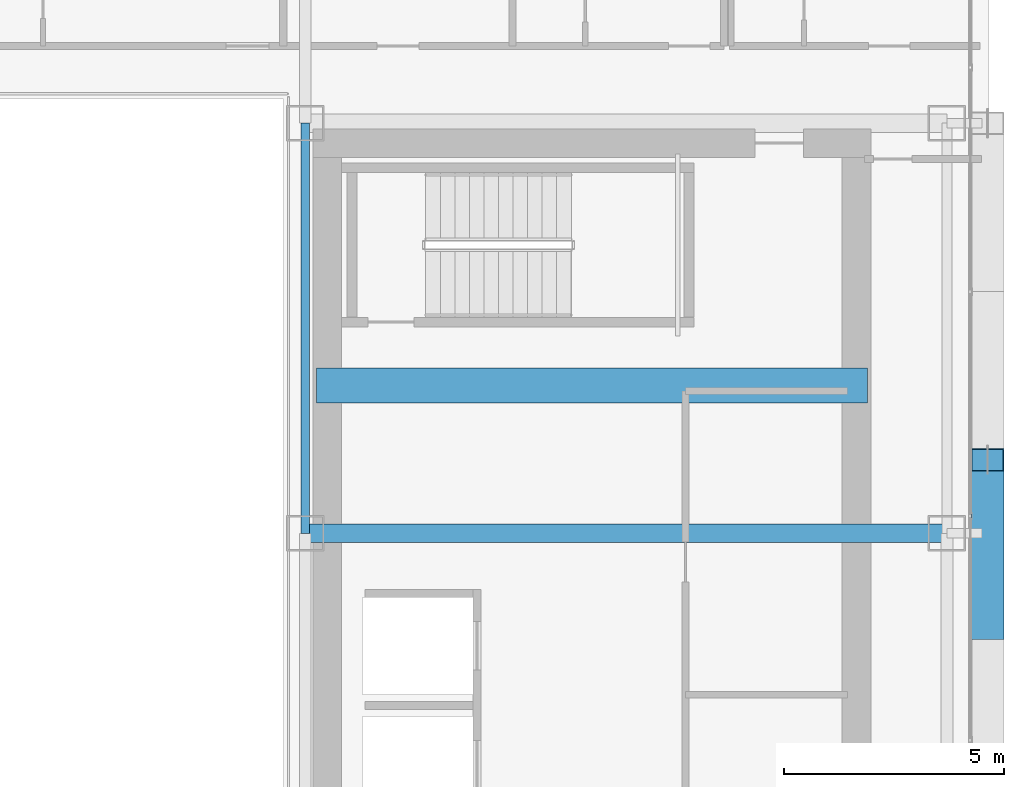
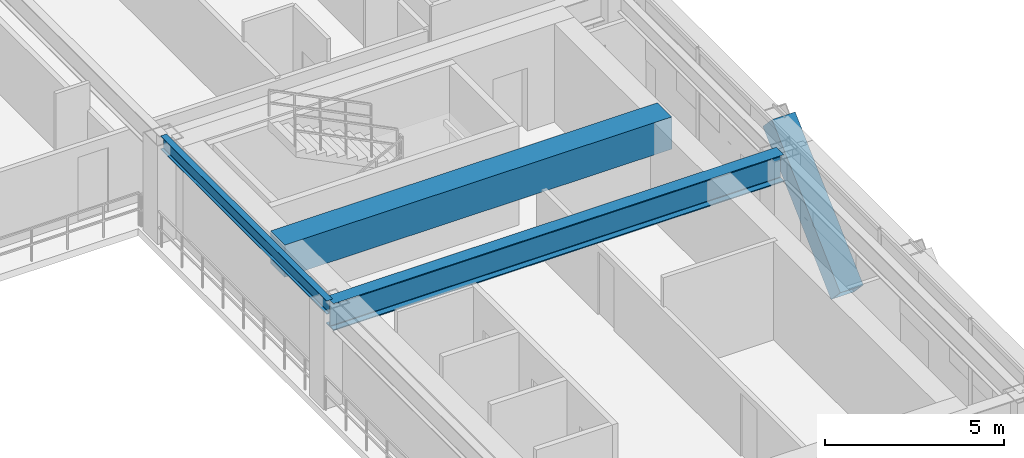
# One storey, part 14 of 35: 3 beams, 1 member.
"""IFC4 building model written with IfcOpenShell, lengths in metres."""

from ifc_helpers import new_model, si_unit, direction, frame, origin, origin_2d, place, context, subcontext, project, spatial, rectangle, hollow_rectangle, i_section, extrude, source, transform, mapped, material, material_profile, profile_set, type_object, element, save


model = new_model("IFC4")

# Units and contexts
model_context = context("Model", 3, precision=1e-05, world=origin(), true_north=direction((0.0, 1.0)))
body_context = subcontext(model_context, "Body", "Model", "MODEL_VIEW")
ifc_project = project(units=[si_unit("LENGTHUNIT", "METRE"), si_unit("AREAUNIT", "SQUARE_METRE"), si_unit("VOLUMEUNIT", "CUBIC_METRE"), si_unit("PLANEANGLEUNIT", "RADIAN"), si_unit("MASSUNIT", "GRAM", prefix="KILO")], contexts=[model_context])

# Site, building, storey
site_placement = place(None, origin())
site = spatial("IfcSite", under=ifc_project, at=site_placement, CompositionType="ELEMENT")
building_placement = place(site_placement, origin())
building = spatial("IfcBuilding", under=site, at=building_placement, Name="Ocotamira Hotel", CompositionType="ELEMENT")
storey_placement = place(building_placement, frame((0.0, 0.0, 144.0)))
storey = spatial("IfcBuildingStorey", under=building, at=storey_placement, Name="L36", CompositionType="ELEMENT", Elevation=144.0)

# Beams
ifc_material_1 = material(Name="Concrete C60/75", Category="concrete")
ifc_material_profile_1 = material_profile(ifc_material_1, rectangle(XDim=0.800048828125, YDim=1.10009765625, at=origin_2d()), Name="RC800X1100")
ifc_profile_set_1 = profile_set([ifc_material_profile_1], Name="Concrete C60/75")
beam_type_1 = type_object("IfcBeamType", Name="BM-LINK-RC800", PredefinedType="LINTEL", material=ifc_profile_set_1)
shared_shape_1 = source(origin(), body_context, "Body", "SweptSolid", [
    extrude(rectangle(XDim=0.800048828125, YDim=1.10009765625, at=origin_2d()), origin(), (0.0, 0.0, 1.0), 12.5),
])
beam_1_placement = place(storey_placement, frame((40.75, 31.5, 2.81005859375), z_axis=(1.0, 0.0, 0.0), x_axis=(0.0, 1.0, 0.0)))
element("IfcBeam", 1, at=beam_1_placement, inside=storey, type_object=beam_type_1, Name="L36 East Core Coupling Beam", PredefinedType="LINTEL", context=body_context, shape_type="MappedRepresentation", body=[
    mapped(shared_shape_1, transform((0.0, 0.0, 0.0), scale=1.0)),
])
ifc_material_2 = material(Name="Steel ASTM A992 Grade 50", Category="steel")
ifc_material_profile_2 = material_profile(ifc_material_2, i_section(OverallWidth=0.41796875, OverallDepth=0.927001953125, WebThickness=0.019287109375, FlangeThickness=0.031982421875, FilletRadius=0.02392578125, at=origin_2d()), Name="W36X231")
ifc_profile_set_2 = profile_set([ifc_material_profile_2], Name="Steel ASTM A992 Grade 50")
beam_type_2 = type_object("IfcBeamType", Name="BM-GIRD-W36X231", PredefinedType="BEAM", material=ifc_profile_set_2)
shared_shape_2 = source(origin(), body_context, "Body", "SweptSolid", [
    extrude(i_section(OverallWidth=0.41796875, OverallDepth=0.927001953125, WebThickness=0.019287109375, FlangeThickness=0.031982421875, FilletRadius=0.02392578125, at=origin_2d()), origin(), (0.0, 0.0, 1.0), 14.550048828125),
])
beam_2_placement = place(storey_placement, frame((40.5, 28.14990234375, 2.896484375), z_axis=(1.0, 0.0, 0.0), x_axis=(0.0, 1.0, 0.0)))
element("IfcBeam", 2, at=beam_2_placement, inside=storey, type_object=beam_type_2, Name="L36 Girder Y28.15 X40.5-55.05", PredefinedType="BEAM", context=body_context, shape_type="MappedRepresentation", body=[
    mapped(shared_shape_2, transform((0.0, 0.0, 0.0), scale=1.0)),
])
ifc_material_profile_3 = material_profile(ifc_material_2, i_section(OverallWidth=0.18994140625, OverallDepth=0.45703125, WebThickness=0.009033203125, FlangeThickness=0.014404296875, FilletRadius=0.010009765625, at=origin_2d()), Name="W18X50")
ifc_profile_set_3 = profile_set([ifc_material_profile_3], Name="Steel ASTM A992 Grade 50")
beam_type_3 = type_object("IfcBeamType", Name="BM-SEC-W18X50", PredefinedType="JOIST", material=ifc_profile_set_3)
shared_shape_3 = source(origin(), body_context, "Body", "SweptSolid", [
    extrude(i_section(OverallWidth=0.18994140625, OverallDepth=0.45703125, WebThickness=0.009033203125, FlangeThickness=0.014404296875, FilletRadius=0.010009765625, at=origin_2d()), origin(), (0.0, 0.0, 1.0), 9.300048828125),
])
beam_3_placement = place(storey_placement, frame((40.5, 28.14990234375, 3.131591796875), z_axis=(0.0, 1.0, 0.0), x_axis=(-1.0, 0.0, 0.0)))
element("IfcBeam", 3, at=beam_3_placement, inside=storey, type_object=beam_type_3, Name="L36 Beam X40.5 Y28.15-37.45", PredefinedType="JOIST", context=body_context, shape_type="MappedRepresentation", body=[
    mapped(shared_shape_3, transform((0.0, 0.0, 0.0), scale=1.0)),
])

# Member
ifc_material_3 = material(Name="Pale-metal coated steel ASTM A913 Grade 65", Category="steel")
ifc_material_profile_4 = material_profile(ifc_material_3, hollow_rectangle(XDim=0.75, YDim=0.75, WallThickness=0.028076171875, at=origin_2d()), Name="BOX750X750X28")
ifc_profile_set_4 = profile_set([ifc_material_profile_4], Name="Pale-metal coated steel ASTM A913 Grade 65")
member_type = type_object("IfcMemberType", Name="MEM-EXO-BOX750", PredefinedType="BRACE", material=ifc_profile_set_4)
shared_shape_4 = source(origin(), body_context, "Body", "SweptSolid", [
    extrude(hollow_rectangle(XDim=0.75, YDim=0.75, WallThickness=0.028076171875, at=origin_2d()), origin(), (0.0, 0.0, 1.0), 5.24658203125),
])
member_placement = place(storey_placement, frame((55.969970703125, 26.0, -0.489990234375), z_axis=(0.0, 0.727442733726, 0.686168397078), x_axis=(-1.0, 0.0, 0.0)))
element("IfcMember", 4, at=member_placement, inside=storey, type_object=member_type, Name="L36 Exoskeleton Diagrid E1.2", PredefinedType="BRACE", context=body_context, shape_type="MappedRepresentation", body=[
    mapped(shared_shape_4, transform((0.0, 0.0, 0.0), scale=1.0)),
])

save(model, "model.ifc")
